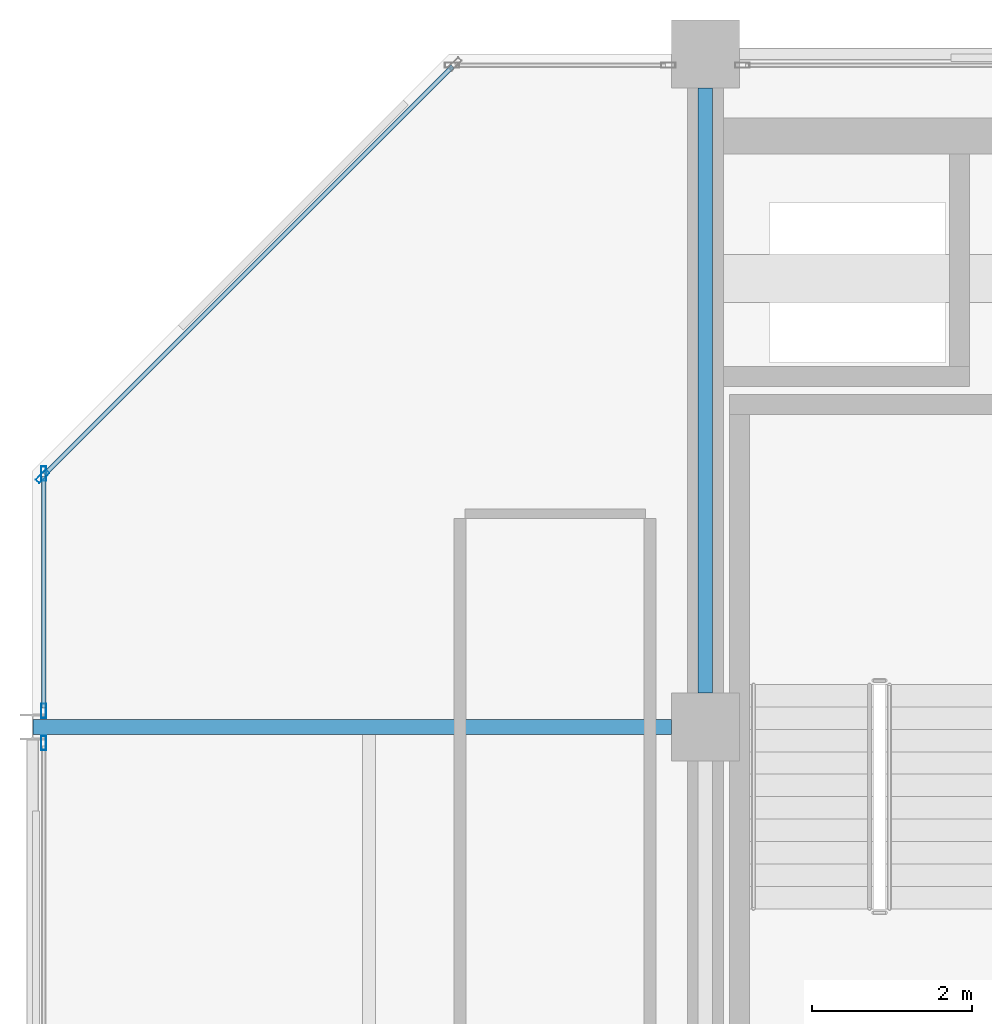
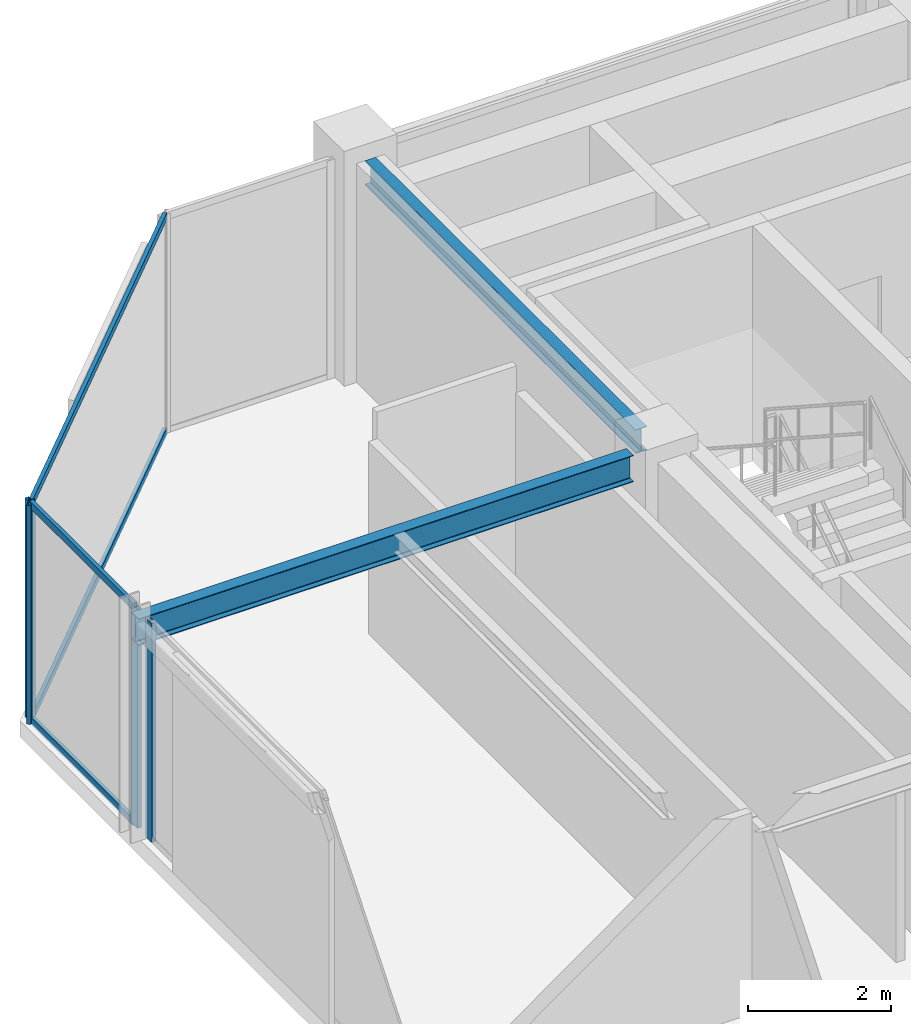
# One storey, part 17 of 26: 8 members, 2 beams, 3 elements without a shape of their own.
"""IFC4 building model written with IfcOpenShell, lengths in metres."""

from ifc_helpers import new_model, si_unit, direction, frame, origin, origin_2d, place, context, subcontext, project, spatial, hollow_rectangle, i_section, extrude, material, layer, layer_set, material_profile, profile_set, type_object, element, aggregate, save


model = new_model("IFC4")

# Units and contexts
model_context = context("Model", 3, precision=1e-05, world=origin(), true_north=direction((0.0, 1.0)))
body_context = subcontext(model_context, "Body", "Model", "MODEL_VIEW")
ifc_project = project(units=[si_unit("LENGTHUNIT", "METRE"), si_unit("AREAUNIT", "SQUARE_METRE"), si_unit("VOLUMEUNIT", "CUBIC_METRE"), si_unit("PLANEANGLEUNIT", "RADIAN"), si_unit("MASSUNIT", "GRAM", prefix="KILO")], contexts=[model_context])

# Site, building, storey
site_placement = place(None, origin())
site = spatial("IfcSite", under=ifc_project, at=site_placement, CompositionType="ELEMENT")
building_placement = place(site_placement, origin())
building = spatial("IfcBuilding", under=site, at=building_placement, Name="Nerrivon Quay Data Exchange", CompositionType="ELEMENT")
storey_placement = place(building_placement, frame((0.0, 0.0, 270.199951171875)))
storey = spatial("IfcBuildingStorey", under=building, at=storey_placement, Name="L64", CompositionType="ELEMENT", Elevation=270.199951171875)

# Beams
ifc_material_1 = material(Name="Steel Grade 350", Category="steel")
ifc_material_profile_1 = material_profile(ifc_material_1, i_section(OverallWidth=0.18994140625, OverallDepth=0.4541015625, WebThickness=0.008544921875, FlangeThickness=0.0126953125, FilletRadius=0.011474609375, at=origin_2d()), Name="460UB67.1")
ifc_profile_set_1 = profile_set([ifc_material_profile_1], Name="Steel Grade 350")
beam_type_1 = type_object("IfcBeamType", Name="BM-G6-460UB67", PredefinedType="BEAM", material=ifc_profile_set_1)
beam_1_placement = place(storey_placement, frame((0.0078125, 33.60009765625, 3.498046875), z_axis=(1.0, 0.0, 0.0), x_axis=(0.0, 1.0, 0.0)))
element("IfcBeam", 1, at=beam_1_placement, inside=storey, type_object=beam_type_1, Name="L64 EW Girder Y=33.6 (0.0..8.4)", PredefinedType="BEAM", context=body_context, shape_type="SweptSolid", body=[
    extrude(i_section(OverallWidth=0.18994140625, OverallDepth=0.4541015625, WebThickness=0.008544921875, FlangeThickness=0.0126953125, FilletRadius=0.011474609375, at=origin_2d()), origin(), (0.0, 0.0, 1.0), 7.96728515625),
])
ifc_material_profile_2 = material_profile(ifc_material_1, i_section(OverallWidth=0.177978515625, OverallDepth=0.406005859375, WebThickness=0.0078125, FlangeThickness=0.0126953125, FilletRadius=0.011474609375, at=origin_2d()), Name="410UB59.7")
ifc_profile_set_2 = profile_set([ifc_material_profile_2], Name="Steel Grade 350")
beam_type_2 = type_object("IfcBeamType", Name="BM-J1-410UB60", PredefinedType="JOIST", material=ifc_profile_set_2)
beam_2_placement = place(storey_placement, frame((8.39990234375, 34.02490234375, 3.52197265625), z_axis=(0.0, 1.0, 0.0), x_axis=(-1.0, 0.0, 0.0)))
element("IfcBeam", 2, at=beam_2_placement, inside=storey, type_object=beam_type_2, Name="L64 NS Girder X=8.4 (33.6..42.0)", PredefinedType="JOIST", context=body_context, shape_type="SweptSolid", body=[
    extrude(i_section(OverallWidth=0.177978515625, OverallDepth=0.406005859375, WebThickness=0.0078125, FlangeThickness=0.0126953125, FilletRadius=0.011474609375, at=origin_2d()), origin(), (0.0, 0.0, 1.0), 7.550048828125),
])

# Curtain wall, member
ifc_material_2 = material(Name="Anodised aluminium 6063-T6", Category="aluminium")
ifc_layer = layer(ifc_material_2, 0.195068359375)
ifc_layer_set = layer_set([ifc_layer], Name="Anodised aluminium 6063-T6")
curtain_wall_type = type_object("IfcCurtainWallType", Name="CW-SYS-06", PredefinedType="NOTDEFINED", material=ifc_layer_set)
curtain_wall_1_placement = place(storey_placement, origin())
curtain_wall_1 = element("IfcCurtainWall", 3, at=curtain_wall_1_placement, inside=storey, type_object=curtain_wall_type, Name="L64 Unitised Curtain Wall 14", PredefinedType="NOTDEFINED")
ifc_material_profile_3 = material_profile(ifc_material_2, hollow_rectangle(XDim=0.06494140625, YDim=0.179931640625, WallThickness=0.00341796875, at=origin_2d()), Name="ALU-MULL-180x65")
ifc_profile_set_3 = profile_set([ifc_material_profile_3], Name="Anodised aluminium 6063-T6")
member_type_1 = type_object("IfcMemberType", Name="CWM-180x65", PredefinedType="MULLION", material=ifc_profile_set_3)
member_1_placement = place(storey_placement, frame((0.139892578125, 33.39892578125, 0.0), z_axis=(0.0, 0.0, 1.0), x_axis=(-1.0, 0.0, 0.0)))
member_1 = element("IfcMember", 4, at=member_1_placement, type_object=member_type_1, Name="CW06 mullion 2", PredefinedType="MULLION", context=body_context, shape_type="SweptSolid", body=[
    extrude(hollow_rectangle(XDim=0.06494140625, YDim=0.179931640625, WallThickness=0.00341796875, at=origin_2d()), origin(), (0.0, 0.0, 1.0), 3.72509765625),
])
aggregate(curtain_wall_1, [member_1])

# Curtain wall, members
curtain_wall_2_placement = place(storey_placement, origin())
curtain_wall_2 = element("IfcCurtainWall", 5, at=curtain_wall_2_placement, inside=storey, type_object=curtain_wall_type, Name="L64 Unitised Curtain Wall 15", PredefinedType="NOTDEFINED")
member_2_placement = place(storey_placement, frame((0.139892578125, 33.801025390625, 0.0), z_axis=(0.0, 0.0, 1.0), x_axis=(-1.0, 0.0, 0.0)))
member_2 = element("IfcMember", 6, at=member_2_placement, type_object=member_type_1, Name="CW06 mullion 1", PredefinedType="MULLION", context=body_context, shape_type="SweptSolid", body=[
    extrude(hollow_rectangle(XDim=0.06494140625, YDim=0.179931640625, WallThickness=0.00341796875, at=origin_2d()), origin(), (0.0, 0.0, 1.0), 3.72509765625),
])
member_3_placement = place(storey_placement, frame((0.139892578125, 36.762451171875, 0.0), z_axis=(0.0, 0.0, 1.0), x_axis=(-1.0, 0.0, 0.0)))
member_3 = element("IfcMember", 7, at=member_3_placement, type_object=member_type_1, Name="CW06 mullion 2", PredefinedType="MULLION", context=body_context, shape_type="SweptSolid", body=[
    extrude(hollow_rectangle(XDim=0.06494140625, YDim=0.179931640625, WallThickness=0.00341796875, at=origin_2d()), origin(), (0.0, 0.0, 1.0), 3.72509765625),
])

# Curtain wall, member
curtain_wall_3_placement = place(storey_placement, origin())
curtain_wall_3 = element("IfcCurtainWall", 8, at=curtain_wall_3_placement, inside=storey, type_object=curtain_wall_type, Name="L64 Unitised Curtain Wall 16", PredefinedType="NOTDEFINED")
member_4_placement = place(storey_placement, frame((0.12548828125, 36.7275390625, 0.0), z_axis=(0.0, 0.0, 1.0), x_axis=(-0.707106781187, 0.707106781187, 0.0)))
member_4 = element("IfcMember", 9, at=member_4_placement, type_object=member_type_1, Name="CW06 mullion 1", PredefinedType="MULLION", context=body_context, shape_type="SweptSolid", body=[
    extrude(hollow_rectangle(XDim=0.06494140625, YDim=0.179931640625, WallThickness=0.00341796875, at=origin_2d()), origin(), (0.0, 0.0, 1.0), 3.72509765625),
])

# Member
ifc_material_profile_4 = material_profile(ifc_material_2, hollow_rectangle(XDim=0.06005859375, YDim=0.1201171875, WallThickness=0.003173828125, at=origin_2d()), Name="ALU-TRAN-120x60")
ifc_profile_set_4 = profile_set([ifc_material_profile_4], Name="Anodised aluminium 6063-T6")
member_type_2 = type_object("IfcMemberType", Name="CWT-120x60", PredefinedType="USERDEFINED", material=ifc_profile_set_4)
member_5_placement = place(storey_placement, frame((0.139892578125, 33.83837890625, 0.032470703125), z_axis=(0.0, 1.0, 0.0), x_axis=(-1.0, 0.0, 0.0)))
member_5 = element("IfcMember", 10, at=member_5_placement, type_object=member_type_2, Name="CW06 transom 1.1", ObjectType="TRANSOM", PredefinedType="USERDEFINED", context=body_context, shape_type="SweptSolid", body=[
    extrude(hollow_rectangle(XDim=0.06005859375, YDim=0.1201171875, WallThickness=0.003173828125, at=origin_2d()), origin(), (0.0, 0.0, 1.0), 2.88671875),
])

member_6_placement = place(storey_placement, frame((0.139892578125, 33.83837890625, 3.692626953125), z_axis=(0.0, 1.0, 0.0), x_axis=(-1.0, 0.0, 0.0)))
member_6 = element("IfcMember", 11, at=member_6_placement, type_object=member_type_2, Name="CW06 transom 1.2", ObjectType="TRANSOM", PredefinedType="USERDEFINED", context=body_context, shape_type="SweptSolid", body=[
    extrude(hollow_rectangle(XDim=0.06005859375, YDim=0.1201171875, WallThickness=0.003173828125, at=origin_2d()), origin(), (0.0, 0.0, 1.0), 2.88671875),
])

aggregate(curtain_wall_2, [member_2, member_3, member_5, member_6])

member_7_placement = place(storey_placement, frame((0.152099609375, 36.754150390625, 0.032470703125), z_axis=(0.707106781187, 0.707106781187, 0.0), x_axis=(-0.707106781187, 0.707106781187, 0.0)))
member_7 = element("IfcMember", 12, at=member_7_placement, type_object=member_type_2, Name="CW06 transom 1.1", ObjectType="TRANSOM", PredefinedType="USERDEFINED", context=body_context, shape_type="SweptSolid", body=[
    extrude(hollow_rectangle(XDim=0.06005859375, YDim=0.1201171875, WallThickness=0.003173828125, at=origin_2d()), origin(), (0.0, 0.0, 1.0), 7.20361328125),
])

member_8_placement = place(storey_placement, frame((0.152099609375, 36.754150390625, 3.692626953125), z_axis=(0.707106781187, 0.707106781187, 0.0), x_axis=(-0.707106781187, 0.707106781187, 0.0)))
member_8 = element("IfcMember", 13, at=member_8_placement, type_object=member_type_2, Name="CW06 transom 1.2", ObjectType="TRANSOM", PredefinedType="USERDEFINED", context=body_context, shape_type="SweptSolid", body=[
    extrude(hollow_rectangle(XDim=0.06005859375, YDim=0.1201171875, WallThickness=0.003173828125, at=origin_2d()), origin(), (0.0, 0.0, 1.0), 7.20361328125),
])

aggregate(curtain_wall_3, [member_4, member_7, member_8])

save(model, "model.ifc")
